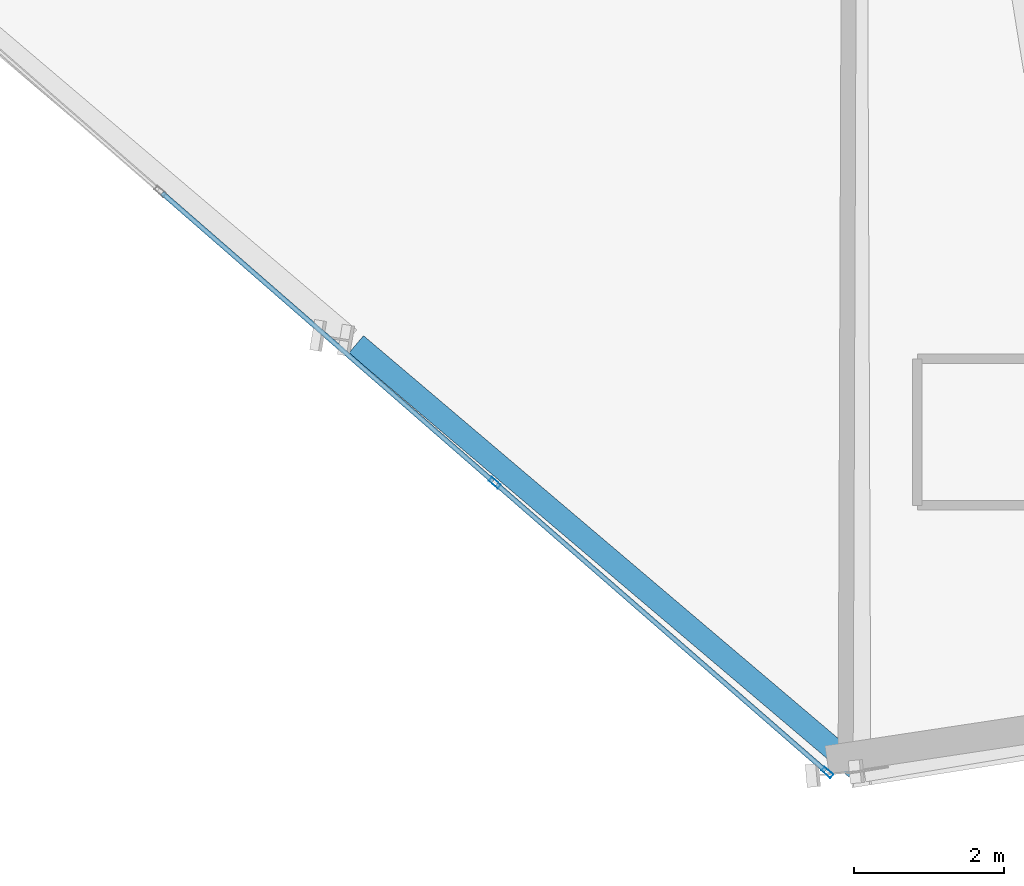
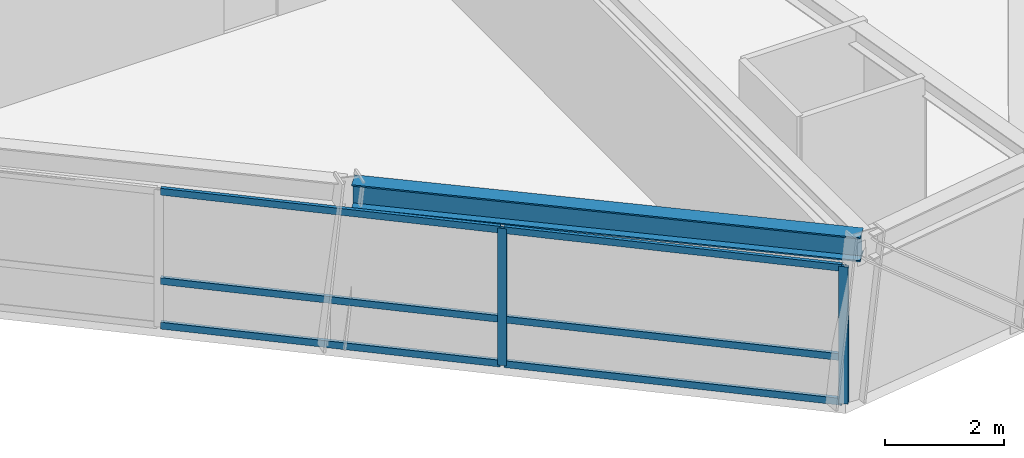
# One storey, part 3 of 13: 8 members, 1 beam, 1 element without a shape of its own.
"""IFC4 building model written with IfcOpenShell, lengths in metres."""

from ifc_helpers import new_model, si_unit, direction, frame, origin, origin_2d, place, context, subcontext, project, spatial, hollow_rectangle, i_section, extrude, source, transform, mapped, material, material_profile, profile_set, type_object, element, aggregate, save


model = new_model("IFC4")

# Units and contexts
model_context = context("Model", 3, precision=1e-05, world=origin(), true_north=direction((0.0, 1.0)))
body_context = subcontext(model_context, "Body", "Model", "MODEL_VIEW")
ifc_project = project(units=[si_unit("LENGTHUNIT", "METRE"), si_unit("AREAUNIT", "SQUARE_METRE"), si_unit("VOLUMEUNIT", "CUBIC_METRE"), si_unit("PLANEANGLEUNIT", "RADIAN"), si_unit("MASSUNIT", "GRAM", prefix="KILO")], contexts=[model_context])

# Site, building, storey
site_placement = place(None, origin())
site = spatial("IfcSite", under=ifc_project, at=site_placement, CompositionType="ELEMENT")
building_placement = place(site_placement, origin())
building = spatial("IfcBuilding", under=site, at=building_placement, Name="Olszyna Solenne Hotel", CompositionType="ELEMENT")
storey_placement = place(building_placement, frame((0.0, 0.0, 209.60009765625)))
storey = spatial("IfcBuildingStorey", under=building, at=storey_placement, Name="L55", CompositionType="ELEMENT", Elevation=209.60009765625)

# Beam
ifc_material_1 = material(Name="Steel S355J2", Category="steel")
ifc_material_profile_1 = material_profile(ifc_material_1, i_section(OverallWidth=0.300048828125, OverallDepth=0.5, WebThickness=0.014404296875, FlangeThickness=0.028076171875, at=origin_2d()), Name="HEB 500", Category="load-bearing")
ifc_profile_set_1 = profile_set([ifc_material_profile_1], Name="Steel S355J2")
beam_type = type_object("IfcBeamType", Name="BM-S3", PredefinedType="BEAM", material=ifc_profile_set_1)
shared_shape_1 = source(origin(), body_context, "Body", "SweptSolid", [
    extrude(i_section(OverallWidth=0.300048828125, OverallDepth=0.5, WebThickness=0.014404296875, FlangeThickness=0.028076171875, at=origin_2d()), origin(), (0.0, 0.0, 1.0), 8.718994140625),
])
beam_placement = place(storey_placement, frame((31.400390625, 8.182373046875, 3.079833984375), z_axis=(0.762522111638, -0.646962154429, 0.0), x_axis=(0.646962154429, 0.762522111638, 0.0)))
element("IfcBeam", 1, at=beam_placement, inside=storey, type_object=beam_type, Name="Perimeter spandrel beam BM-S3 B-L55-1628", PredefinedType="BEAM", context=body_context, shape_type="MappedRepresentation", body=[
    mapped(shared_shape_1, transform((0.0, 0.0, 0.0), x_axis=(1.0, 0.0, 0.0), y_axis=(0.0, 1.0, 0.0), z_axis=(0.0, 0.0, 1.0), scale=1.0)),
])

# Curtain wall, members
ifc_material_2 = material(Name="Anodised bronze aluminium", Category="aluminium")
curtain_wall_type = type_object("IfcCurtainWallType", Name="CW-SYS-4", PredefinedType="NOTDEFINED", material=ifc_material_2)
curtain_wall_placement = place(storey_placement, origin())
curtain_wall = element("IfcCurtainWall", 2, at=curtain_wall_placement, inside=storey, type_object=curtain_wall_type, Name="Unitised curtain wall CW-SYS-4 CW-L55-01", PredefinedType="NOTDEFINED")
ifc_material_profile_2 = material_profile(ifc_material_2, hollow_rectangle(XDim=0.06494140625, YDim=0.159912109375, WallThickness=0.00390625, at=origin_2d()), Name="MULL 160x65x4", Category="load-bearing")
ifc_profile_set_2 = profile_set([ifc_material_profile_2], Name="Anodised bronze aluminium")
member_type_1 = type_object("IfcMemberType", Name="CW-M3", PredefinedType="MULLION", material=ifc_profile_set_2)
shared_shape_2 = source(origin(), body_context, "Body", "SweptSolid", [
    extrude(hollow_rectangle(XDim=0.06494140625, YDim=0.159912109375, WallThickness=0.00390625, at=origin_2d()), origin(), (0.0, 0.0, 1.0), 2.822021484375),
])
member_1_placement = place(storey_placement, frame((33.242919921875, 6.340576171875, 0.0), z_axis=(0.0, 0.0, 1.0), x_axis=(0.656788104836, 0.754075185473, 0.0)))
member_1 = element("IfcMember", 3, at=member_1_placement, type_object=member_type_1, Name="Curtain-wall mullion CW-M3 CM-L55-01-03", PredefinedType="MULLION", context=body_context, shape_type="MappedRepresentation", body=[
    mapped(shared_shape_2, transform((0.0, 0.0, 0.0), x_axis=(1.0, 0.0, 0.0), y_axis=(0.0, 1.0, 0.0), z_axis=(0.0, 0.0, 1.0), scale=1.0)),
])
member_2_placement = place(storey_placement, frame((37.666015625, 2.488037109375, 0.0), z_axis=(0.0, 0.0, 1.0), x_axis=(0.656788104836, 0.754075185473, 0.0)))
member_2 = element("IfcMember", 4, at=member_2_placement, type_object=member_type_1, Name="Curtain-wall mullion CW-M3 CM-L55-01-04", PredefinedType="MULLION", context=body_context, shape_type="MappedRepresentation", body=[
    mapped(shared_shape_2, transform((0.0, 0.0, 0.0), x_axis=(1.0, 0.0, 0.0), y_axis=(0.0, 1.0, 0.0), z_axis=(0.0, 0.0, 1.0), scale=1.0)),
])
ifc_material_profile_3 = material_profile(ifc_material_2, hollow_rectangle(XDim=0.06494140625, YDim=0.139892578125, WallThickness=0.00390625, at=origin_2d()), Name="TRAN 140x65x4", Category="load-bearing")
ifc_profile_set_3 = profile_set([ifc_material_profile_3], Name="Anodised bronze aluminium")
member_type_2 = type_object("IfcMemberType", Name="CW-T2", PredefinedType="USERDEFINED", material=ifc_profile_set_3)
shared_shape_3 = source(origin(), body_context, "Body", "SweptSolid", [
    extrude(hollow_rectangle(XDim=0.06494140625, YDim=0.139892578125, WallThickness=0.00390625, at=origin_2d()), origin(), (0.0, 0.0, 1.0), 5.801025390625),
])
member_3_placement = place(storey_placement, frame((33.267333984375, 6.3193359375, 0.032470703125), z_axis=(0.754063441135, -0.656801588567, 0.0), x_axis=(0.656801588567, 0.754063441135, 0.0)))
member_3 = element("IfcMember", 5, at=member_3_placement, type_object=member_type_2, Name="Curtain-wall transom CW-T2 CT-L55-01-07", ObjectType="TRANSOM", PredefinedType="USERDEFINED", context=body_context, shape_type="MappedRepresentation", body=[
    mapped(shared_shape_3, transform((0.0, 0.0, 0.0), x_axis=(1.0, 0.0, 0.0), y_axis=(0.0, 1.0, 0.0), z_axis=(0.0, 0.0, 1.0), scale=1.0)),
])
member_4_placement = place(storey_placement, frame((33.267333984375, 6.3193359375, 0.949951171875), z_axis=(0.754063441135, -0.656801588567, 0.0), x_axis=(0.656801588567, 0.754063441135, 0.0)))
member_4 = element("IfcMember", 6, at=member_4_placement, type_object=member_type_2, Name="Curtain-wall transom CW-T2 CT-L55-01-08", ObjectType="TRANSOM", PredefinedType="USERDEFINED", context=body_context, shape_type="MappedRepresentation", body=[
    mapped(shared_shape_3, transform((0.0, 0.0, 0.0), x_axis=(1.0, 0.0, 0.0), y_axis=(0.0, 1.0, 0.0), z_axis=(0.0, 0.0, 1.0), scale=1.0)),
])
member_5_placement = place(storey_placement, frame((33.267333984375, 6.3193359375, 2.789306640625), z_axis=(0.754063441135, -0.656801588567, 0.0), x_axis=(0.656801588567, 0.754063441135, 0.0)))
member_5 = element("IfcMember", 7, at=member_5_placement, type_object=member_type_2, Name="Curtain-wall transom CW-T2 CT-L55-01-09", ObjectType="TRANSOM", PredefinedType="USERDEFINED", context=body_context, shape_type="MappedRepresentation", body=[
    mapped(shared_shape_3, transform((0.0, 0.0, 0.0), x_axis=(1.0, 0.0, 0.0), y_axis=(0.0, 1.0, 0.0), z_axis=(0.0, 0.0, 1.0), scale=1.0)),
])
shared_shape_4 = source(origin(), body_context, "Body", "SweptSolid", [
    extrude(hollow_rectangle(XDim=0.06494140625, YDim=0.139892578125, WallThickness=0.00390625, at=origin_2d()), origin(), (0.0, 0.0, 1.0), 5.833251953125),
])
member_6_placement = place(storey_placement, frame((28.819580078125, 10.193115234375, 0.032470703125), z_axis=(0.754065547883, -0.656799169835, 0.0), x_axis=(0.656799169835, 0.754065547883, 0.0)))
member_6 = element("IfcMember", 8, at=member_6_placement, type_object=member_type_2, Name="Curtain-wall transom CW-T2 CT-L55-01-04", ObjectType="TRANSOM", PredefinedType="USERDEFINED", context=body_context, shape_type="MappedRepresentation", body=[
    mapped(shared_shape_4, transform((0.0, 0.0, 0.0), x_axis=(1.0, 0.0, 0.0), y_axis=(0.0, 1.0, 0.0), z_axis=(0.0, 0.0, 1.0), scale=1.0)),
])
member_7_placement = place(storey_placement, frame((28.819580078125, 10.193115234375, 0.949951171875), z_axis=(0.754065547883, -0.656799169835, 0.0), x_axis=(0.656799169835, 0.754065547883, 0.0)))
member_7 = element("IfcMember", 9, at=member_7_placement, type_object=member_type_2, Name="Curtain-wall transom CW-T2 CT-L55-01-05", ObjectType="TRANSOM", PredefinedType="USERDEFINED", context=body_context, shape_type="MappedRepresentation", body=[
    mapped(shared_shape_4, transform((0.0, 0.0, 0.0), x_axis=(1.0, 0.0, 0.0), y_axis=(0.0, 1.0, 0.0), z_axis=(0.0, 0.0, 1.0), scale=1.0)),
])
member_8_placement = place(storey_placement, frame((28.819580078125, 10.193115234375, 2.789306640625), z_axis=(0.754065547883, -0.656799169835, 0.0), x_axis=(0.656799169835, 0.754065547883, 0.0)))
member_8 = element("IfcMember", 10, at=member_8_placement, type_object=member_type_2, Name="Curtain-wall transom CW-T2 CT-L55-01-06", ObjectType="TRANSOM", PredefinedType="USERDEFINED", context=body_context, shape_type="MappedRepresentation", body=[
    mapped(shared_shape_4, transform((0.0, 0.0, 0.0), x_axis=(1.0, 0.0, 0.0), y_axis=(0.0, 1.0, 0.0), z_axis=(0.0, 0.0, 1.0), scale=1.0)),
])
aggregate(curtain_wall, [member_1, member_2, member_6, member_7, member_8, member_3, member_4, member_5])

save(model, "model.ifc")
